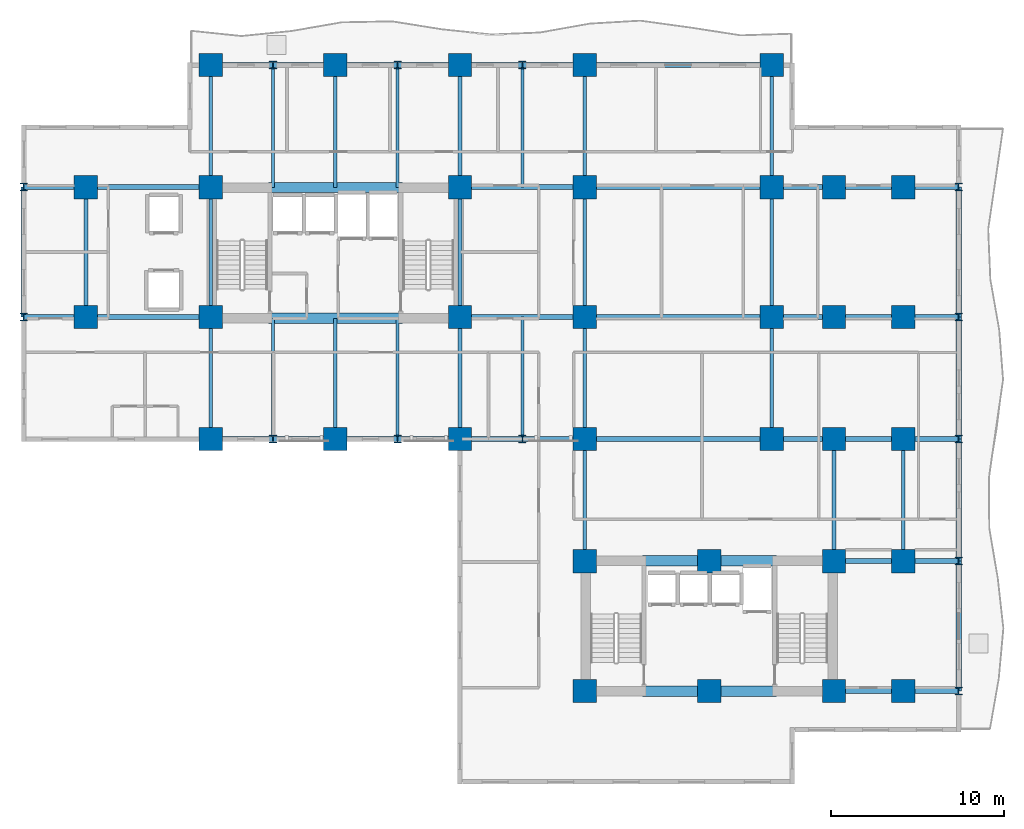
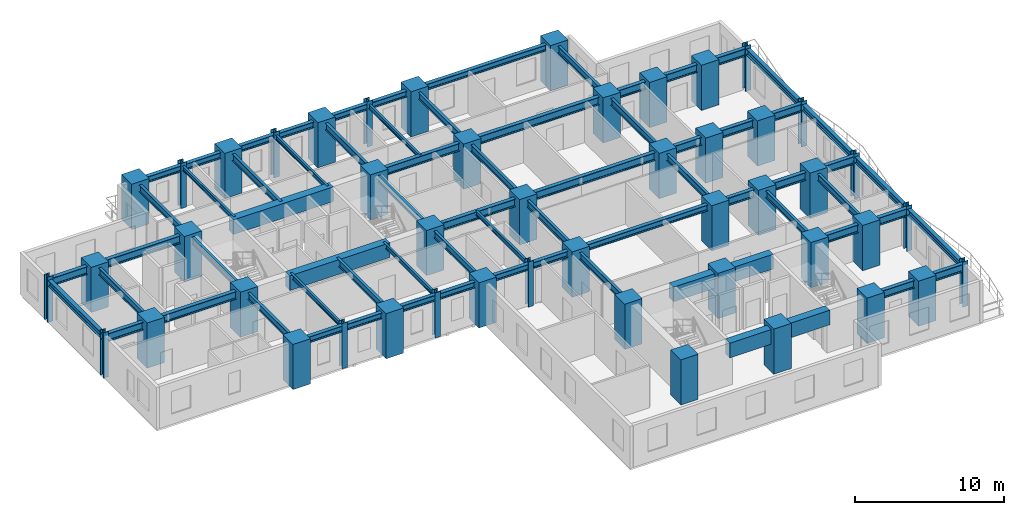
# One storey, part 1 of 11: 68 beams, 47 columns.
"""IFC4 building model written with IfcOpenShell, lengths in metres."""

from ifc_helpers import new_model, si_unit, direction, frame, origin, origin_2d, place, context, subcontext, project, spatial, rectangle, i_section, extrude, source, transform, mapped, material, material_profile, profile_set, type_object, element, save


model = new_model("IFC4")

# Units and contexts
model_context = context("Model", 3, precision=1e-05, world=origin(), true_north=direction((0.0, 1.0)))
body_context = subcontext(model_context, "Body", "Model", "MODEL_VIEW")
ifc_project = project(units=[si_unit("LENGTHUNIT", "METRE"), si_unit("AREAUNIT", "SQUARE_METRE"), si_unit("VOLUMEUNIT", "CUBIC_METRE"), si_unit("PLANEANGLEUNIT", "RADIAN"), si_unit("MASSUNIT", "GRAM", prefix="KILO")], contexts=[model_context])

# Site, building, storey
site_placement = place(None, origin())
site = spatial("IfcSite", under=ifc_project, at=site_placement, CompositionType="ELEMENT")
building_placement = place(site_placement, origin())
building = spatial("IfcBuilding", under=site, at=building_placement, Name="Kaliganga Portal Commons", CompositionType="ELEMENT")
storey_placement = place(building_placement, frame((0.0, 0.0, 58.60009765625)))
storey = spatial("IfcBuildingStorey", under=building, at=storey_placement, Name="L14", CompositionType="ELEMENT", Elevation=58.60009765625)

# Columns
ifc_material_1 = material(Name="Concrete C70/85", Category="concrete")
ifc_material_profile_1 = material_profile(ifc_material_1, rectangle(XDim=1.35009765625, YDim=1.35009765625, at=origin_2d()), Name="RC 1350x1350")
ifc_profile_set_1 = profile_set([ifc_material_profile_1], Name="Concrete C70/85")
column_type_1 = type_object("IfcColumnType", Name="COL-MEGA-Z1", PredefinedType="COLUMN", material=ifc_profile_set_1)
shared_shape_1 = source(origin(), body_context, "Body", "SweptSolid", [
    extrude(rectangle(XDim=1.35009765625, YDim=1.35009765625, at=origin_2d()), origin(), (0.0, 0.0, 1.0), 3.699951171875),
])
for number, where, z_axis, x_axis, name in (
    (1, (7.199951171875, 28.64990234375, 0.0), (0.0, 0.0, 1.0), (1.0, 0.0, 0.0), "Column MC-02 L14"),
    (2, (7.199951171875, 36.14990234375, 0.0), (0.0, 0.0, 1.0), (1.0, 0.0, 0.0), "Column MC-02 L14"),
    (3, (14.39990234375, 21.60009765625, 0.0), (0.0, 0.0, 1.0), (1.0, 0.0, 0.0), "Column MC-02 L14"),
    (4, (14.39990234375, 28.64990234375, 0.0), (0.0, 0.0, 1.0), (1.0, 0.0, 0.0), "Column MC-02 L14"),
    (5, (14.39990234375, 36.14990234375, 0.0), (0.0, 0.0, 1.0), (1.0, 0.0, 0.0), "Column MC-02 L14"),
    (6, (14.39990234375, 43.199951171875, 0.0), (0.0, 0.0, 1.0), (1.0, 0.0, 0.0), "Column MC-02 L14"),
    (7, (21.60009765625, 21.60009765625, 0.0), (0.0, 0.0, 1.0), (1.0, 0.0, 0.0), "Column MC-02 L14"),
    (8, (21.60009765625, 43.199951171875, 0.0), (0.0, 0.0, 1.0), (1.0, 0.0, 0.0), "Column MC-02 L14"),
    (9, (28.800048828125, 21.60009765625, 0.0), (0.0, 0.0, 1.0), (1.0, 0.0, 0.0), "Column MC-02 L14"),
    (10, (28.800048828125, 28.64990234375, 0.0), (0.0, 0.0, 1.0), (1.0, 0.0, 0.0), "Column MC-02 L14"),
    (11, (28.800048828125, 36.14990234375, 0.0), (0.0, 0.0, 1.0), (1.0, 0.0, 0.0), "Column MC-02 L14"),
    (12, (28.800048828125, 43.199951171875, 0.0), (0.0, 0.0, 1.0), (1.0, 0.0, 0.0), "Column MC-02 L14"),
    (13, (36.0, 21.60009765625, 0.0), (0.0, 0.0, 1.0), (1.0, 0.0, 0.0), "Column MC-02 L14"),
    (14, (36.0, 43.199951171875, 0.0), (0.0, 0.0, 1.0), (1.0, 0.0, 0.0), "Column MC-02 L14"),
    (15, (36.0, 28.64990234375, 0.0), (0.0, 0.0, 1.0), (1.0, 0.0, 0.0), "Column MC-02 L14"),
    (16, (36.0, 36.14990234375, 0.0), (0.0, 0.0, 1.0), (1.0, 0.0, 0.0), "Column MC-02 L14"),
    (17, (46.800048828125, 21.60009765625, 0.0), (0.0, 0.0, 1.0), (1.0, 0.0, 0.0), "Column MC-02 L14"),
    (18, (46.800048828125, 28.64990234375, 0.0), (0.0, 0.0, 1.0), (1.0, 0.0, 0.0), "Column MC-02 L14"),
    (19, (46.800048828125, 36.14990234375, 0.0), (0.0, 0.0, 1.0), (1.0, 0.0, 0.0), "Column MC-02 L14"),
    (20, (46.800048828125, 43.199951171875, 0.0), (0.0, 0.0, 1.0), (1.0, 0.0, 0.0), "Column MC-02 L14"),
    (21, (36.0, 7.050048828125, 0.0), (0.0, 0.0, 1.0), (1.0, 0.0, 0.0), "Column MC-02 L14"),
    (22, (36.0, 14.550048828125, 0.0), (0.0, 0.0, 1.0), (1.0, 0.0, 0.0), "Column MC-02 L14"),
    (23, (43.199951171875, 7.050048828125, 0.0), (0.0, 0.0, 1.0), (1.0, 0.0, 0.0), "Column MC-02 L14"),
    (24, (43.199951171875, 14.550048828125, 0.0), (0.0, 0.0, 1.0), (1.0, 0.0, 0.0), "Column MC-02 L14"),
    (25, (50.39990234375, 7.050048828125, 0.0), (0.0, 0.0, 1.0), (1.0, 0.0, 0.0), "Column MC-02 L14"),
    (26, (50.39990234375, 14.550048828125, 0.0), (0.0, 0.0, 1.0), (1.0, 0.0, 0.0), "Column MC-02 L14"),
    (27, (50.39990234375, 21.60009765625, 0.0), (0.0, 0.0, 1.0), (1.0, 0.0, 0.0), "Column MC-02 L14"),
    (28, (50.39990234375, 28.64990234375, 0.0), (0.0, 0.0, 1.0), (1.0, 0.0, 0.0), "Column MC-02 L14"),
    (29, (50.39990234375, 36.14990234375, 0.0), (0.0, 0.0, 1.0), (1.0, 0.0, 0.0), "Column MC-02 L14"),
    (30, (54.39990234375, 7.050048828125, 0.0), (0.0, 0.0, 1.0), (1.0, 0.0, 0.0), "Column MC-02 L14"),
    (31, (54.39990234375, 14.550048828125, 0.0), (0.0, 0.0, 1.0), (1.0, 0.0, 0.0), "Column MC-02 L14"),
    (32, (54.39990234375, 21.60009765625, 0.0), (0.0, 0.0, 1.0), (1.0, 0.0, 0.0), "Column MC-02 L14"),
    (33, (54.39990234375, 28.64990234375, 0.0), (0.0, 0.0, 1.0), (1.0, 0.0, 0.0), "Column MC-02 L14"),
    (34, (54.39990234375, 36.14990234375, 0.0), (0.0, 0.0, 1.0), (1.0, 0.0, 0.0), "Column MC-02 L14"),
):
    element("IfcColumn", number, at=place(storey_placement, frame(where, z_axis=z_axis, x_axis=x_axis)), inside=storey, type_object=column_type_1, Name=name, PredefinedType="COLUMN", context=body_context, shape_type="MappedRepresentation", body=[
        mapped(shared_shape_1, transform((0.0, 0.0, 0.0), x_axis=(1.0, 0.0, 0.0), y_axis=(0.0, 1.0, 0.0), z_axis=(0.0, 0.0, 1.0), scale=1.0)),
    ])
ifc_material_2 = material(Name="Structural steel S460M", Category="steel")
ifc_material_profile_2 = material_profile(ifc_material_2, i_section(OverallWidth=0.416015625, OverallDepth=0.446044921875, WebThickness=0.029052734375, FlangeThickness=0.0400390625, FilletRadius=0.014892578125, at=origin_2d()), Name="HD 400x509")
ifc_profile_set_2 = profile_set([ifc_material_profile_2], Name="Structural steel S460M wide-flange")
column_type_2 = type_object("IfcColumnType", Name="COL-TUBE-B1", PredefinedType="COLUMN", material=ifc_profile_set_2)
shared_shape_2 = source(origin(), body_context, "Body", "SweptSolid", [
    extrude(i_section(OverallWidth=0.416015625, OverallDepth=0.446044921875, WebThickness=0.029052734375, FlangeThickness=0.0400390625, FilletRadius=0.014892578125, at=origin_2d()), origin(), (0.0, 0.0, 1.0), 3.699951171875),
])
for number, where, z_axis, x_axis, name in (
    (35, (3.60009765625, 28.64990234375, 0.0), (0.0, 0.0, 1.0), (1.0, 0.0, 0.0), "Column TC-01 L14"),
    (36, (3.60009765625, 36.14990234375, 0.0), (0.0, 0.0, 1.0), (1.0, 0.0, 0.0), "Column TC-01 L14"),
    (37, (18.0, 21.60009765625, 0.0), (0.0, 0.0, 1.0), (1.0, 0.0, 0.0), "Column TC-01 L14"),
    (38, (18.0, 43.199951171875, 0.0), (0.0, 0.0, 1.0), (1.0, 0.0, 0.0), "Column TC-01 L14"),
    (39, (25.199951171875, 21.60009765625, 0.0), (0.0, 0.0, 1.0), (1.0, 0.0, 0.0), "Column TC-01 L14"),
    (40, (25.199951171875, 43.199951171875, 0.0), (0.0, 0.0, 1.0), (1.0, 0.0, 0.0), "Column TC-01 L14"),
    (41, (32.39990234375, 21.60009765625, 0.0), (0.0, 0.0, 1.0), (1.0, 0.0, 0.0), "Column TC-01 L14"),
    (42, (32.39990234375, 43.199951171875, 0.0), (0.0, 0.0, 1.0), (1.0, 0.0, 0.0), "Column TC-01 L14"),
    (43, (57.60009765625, 7.050048828125, 0.0), (0.0, 0.0, 1.0), (1.0, 0.0, 0.0), "Column TC-01 L14"),
    (44, (57.60009765625, 14.550048828125, 0.0), (0.0, 0.0, 1.0), (1.0, 0.0, 0.0), "Column TC-01 L14"),
    (45, (57.60009765625, 21.60009765625, 0.0), (0.0, 0.0, 1.0), (1.0, 0.0, 0.0), "Column TC-01 L14"),
    (46, (57.60009765625, 28.64990234375, 0.0), (0.0, 0.0, 1.0), (1.0, 0.0, 0.0), "Column TC-01 L14"),
    (47, (57.60009765625, 36.14990234375, 0.0), (0.0, 0.0, 1.0), (1.0, 0.0, 0.0), "Column TC-01 L14"),
):
    element("IfcColumn", number, at=place(storey_placement, frame(where, z_axis=z_axis, x_axis=x_axis)), inside=storey, type_object=column_type_2, Name=name, PredefinedType="COLUMN", context=body_context, shape_type="MappedRepresentation", body=[
        mapped(shared_shape_2, transform((0.0, 0.0, 0.0), x_axis=(1.0, 0.0, 0.0), y_axis=(0.0, 1.0, 0.0), z_axis=(0.0, 0.0, 1.0), scale=1.0)),
    ])

# Beams
ifc_material_3 = material(Name="Concrete C60/75", Category="concrete")
ifc_material_profile_3 = material_profile(ifc_material_3, rectangle(XDim=0.60009765625, YDim=1.199951171875, at=origin_2d()), Name="RC 600x1200")
ifc_profile_set_3 = profile_set([ifc_material_profile_3], Name="Concrete C60/75")
beam_type_1 = type_object("IfcBeamType", Name="BM-CPL-1200", PredefinedType="LINTEL", material=ifc_profile_set_3)
shared_shape_3 = source(origin(), body_context, "Body", "SweptSolid", [
    extrude(rectangle(XDim=0.60009765625, YDim=1.199951171875, at=origin_2d()), origin(), (0.0, 0.0, 1.0), 7.739990234375),
])
for number, where, z_axis, x_axis, name in (
    (48, (17.72998046875, 28.574951171875, 2.849853515625), (1.0, 0.0, 0.0), (0.0, 1.0, 0.0), "BM CPL COREA L14 S"),
    (49, (17.72998046875, 36.125, 2.849853515625), (1.0, 0.0, 0.0), (0.0, 1.0, 0.0), "BM CPL COREA L14 N"),
    (50, (39.330078125, 7.02490234375, 2.849853515625), (1.0, 0.0, 0.0), (0.0, 1.0, 0.0), "BM CPL COREB L14 S"),
    (51, (39.330078125, 14.574951171875, 2.849853515625), (1.0, 0.0, 0.0), (0.0, 1.0, 0.0), "BM CPL COREB L14 N"),
):
    element("IfcBeam", number, at=place(storey_placement, frame(where, z_axis=z_axis, x_axis=x_axis)), inside=storey, type_object=beam_type_1, Name=name, PredefinedType="LINTEL", context=body_context, shape_type="MappedRepresentation", body=[
        mapped(shared_shape_3, transform((0.0, 0.0, 0.0), x_axis=(1.0, 0.0, 0.0), y_axis=(0.0, 1.0, 0.0), z_axis=(0.0, 0.0, 1.0), scale=1.0)),
    ])
ifc_material_4 = material(Name="Structural steel S355J2", Category="steel")
ifc_material_profile_4 = material_profile(ifc_material_4, i_section(OverallWidth=0.300048828125, OverallDepth=0.5, WebThickness=0.014404296875, FlangeThickness=0.028076171875, FilletRadius=0.027099609375, at=origin_2d()), Name="HE 500 B")
ifc_profile_set_4 = profile_set([ifc_material_profile_4], Name="Structural steel S355J2 wide-flange")
beam_type_2 = type_object("IfcBeamType", Name="BM-SPAND-500", PredefinedType="SPANDREL", material=ifc_profile_set_4)
shared_shape_4 = source(origin(), body_context, "Body", "SweptSolid", [
    extrude(i_section(OverallWidth=0.300048828125, OverallDepth=0.5, WebThickness=0.014404296875, FlangeThickness=0.028076171875, FilletRadius=0.027099609375, at=origin_2d()), origin(), (0.0, 0.0, 1.0), 10.800048828125),
])
for number, where, z_axis, x_axis, name in (
    (52, (36.0, 43.199951171875, 3.199951171875), (1.0, 0.0, 0.0), (0.0, 1.0, 0.0), "BM SP L14 AN 7"),
    (53, (36.0, 21.60009765625, 3.199951171875), (1.0, 0.0, 0.0), (0.0, 1.0, 0.0), "BM SP L14 AS 7"),
):
    element("IfcBeam", number, at=place(storey_placement, frame(where, z_axis=z_axis, x_axis=x_axis)), inside=storey, type_object=beam_type_2, Name=name, PredefinedType="SPANDREL", context=body_context, shape_type="MappedRepresentation", body=[
        mapped(shared_shape_4, transform((0.0, 0.0, 0.0), x_axis=(1.0, 0.0, 0.0), y_axis=(0.0, 1.0, 0.0), z_axis=(0.0, 0.0, 1.0), scale=1.0)),
    ])
shared_shape_5 = source(origin(), body_context, "Body", "SweptSolid", [
    extrude(i_section(OverallWidth=0.300048828125, OverallDepth=0.5, WebThickness=0.014404296875, FlangeThickness=0.028076171875, FilletRadius=0.027099609375, at=origin_2d()), origin(), (0.0, 0.0, 1.0), 7.5),
])
for number, where, z_axis, x_axis, name in (
    (54, (3.60009765625, 28.64990234375, 3.199951171875), (0.0, 1.0, 0.0), (-1.0, 0.0, 0.0), "BM SP L14 AW"),
    (55, (57.60009765625, 7.050048828125, 3.199951171875), (0.0, 1.0, 0.0), (-1.0, 0.0, 0.0), "BM SP L14 BE 1"),
    (56, (57.60009765625, 28.64990234375, 3.199951171875), (0.0, 1.0, 0.0), (-1.0, 0.0, 0.0), "BM SP L14 BE 4"),
):
    element("IfcBeam", number, at=place(storey_placement, frame(where, z_axis=z_axis, x_axis=x_axis)), inside=storey, type_object=beam_type_2, Name=name, PredefinedType="SPANDREL", context=body_context, shape_type="MappedRepresentation", body=[
        mapped(shared_shape_5, transform((0.0, 0.0, 0.0), x_axis=(1.0, 0.0, 0.0), y_axis=(0.0, 1.0, 0.0), z_axis=(0.0, 0.0, 1.0), scale=1.0)),
    ])
shared_shape_6 = source(origin(), body_context, "Body", "SweptSolid", [
    extrude(i_section(OverallWidth=0.300048828125, OverallDepth=0.5, WebThickness=0.014404296875, FlangeThickness=0.028076171875, FilletRadius=0.027099609375, at=origin_2d()), origin(), (0.0, 0.0, 1.0), 7.050048828125),
])
beam_1_placement = place(storey_placement, frame((57.60009765625, 14.550048828125, 3.199951171875), z_axis=(0.0, 1.0, 0.0), x_axis=(-1.0, 0.0, 0.0)))
element("IfcBeam", 57, at=beam_1_placement, inside=storey, type_object=beam_type_2, Name="BM SP L14 BE 2", PredefinedType="SPANDREL", context=body_context, shape_type="MappedRepresentation", body=[
    mapped(shared_shape_6, transform((0.0, 0.0, 0.0), x_axis=(1.0, 0.0, 0.0), y_axis=(0.0, 1.0, 0.0), z_axis=(0.0, 0.0, 1.0), scale=1.0)),
])
shared_shape_7 = source(origin(), body_context, "Body", "SweptSolid", [
    extrude(i_section(OverallWidth=0.300048828125, OverallDepth=0.5, WebThickness=0.014404296875, FlangeThickness=0.028076171875, FilletRadius=0.027099609375, at=origin_2d()), origin(), (0.0, 0.0, 1.0), 7.0498046875),
])
beam_2_placement = place(storey_placement, frame((57.60009765625, 21.60009765625, 3.199951171875), z_axis=(0.0, 1.0, 0.0), x_axis=(-1.0, 0.0, 0.0)))
element("IfcBeam", 58, at=beam_2_placement, inside=storey, type_object=beam_type_2, Name="BM SP L14 BE 3", PredefinedType="SPANDREL", context=body_context, shape_type="MappedRepresentation", body=[
    mapped(shared_shape_7, transform((0.0, 0.0, 0.0), x_axis=(1.0, 0.0, 0.0), y_axis=(0.0, 1.0, 0.0), z_axis=(0.0, 0.0, 1.0), scale=1.0)),
])
shared_shape_8 = source(origin(), body_context, "Body", "SweptSolid", [
    extrude(i_section(OverallWidth=0.300048828125, OverallDepth=0.5, WebThickness=0.014404296875, FlangeThickness=0.028076171875, FilletRadius=0.027099609375, at=origin_2d()), origin(), (0.0, 0.0, 1.0), 3.60009765625),
])
for number, where, z_axis, x_axis, name in (
    (59, (14.39990234375, 43.199951171875, 3.199951171875), (1.0, 0.0, 0.0), (0.0, 1.0, 0.0), "BM SP L14 AN 1"),
    (60, (18.0, 43.199951171875, 3.199951171875), (1.0, 0.0, 0.0), (0.0, 1.0, 0.0), "BM SP L14 AN 2"),
    (61, (25.199951171875, 43.199951171875, 3.199951171875), (1.0, 0.0, 0.0), (0.0, 1.0, 0.0), "BM SP L14 AN 4"),
    (62, (32.39990234375, 43.199951171875, 3.199951171875), (1.0, 0.0, 0.0), (0.0, 1.0, 0.0), "BM SP L14 AN 6"),
    (63, (14.39990234375, 21.60009765625, 3.199951171875), (1.0, 0.0, 0.0), (0.0, 1.0, 0.0), "BM SP L14 AS 1"),
    (64, (18.0, 21.60009765625, 3.199951171875), (1.0, 0.0, 0.0), (0.0, 1.0, 0.0), "BM SP L14 AS 2"),
    (65, (25.199951171875, 21.60009765625, 3.199951171875), (1.0, 0.0, 0.0), (0.0, 1.0, 0.0), "BM SP L14 AS 4"),
    (66, (32.39990234375, 21.60009765625, 3.199951171875), (1.0, 0.0, 0.0), (0.0, 1.0, 0.0), "BM SP L14 AS 6"),
):
    element("IfcBeam", number, at=place(storey_placement, frame(where, z_axis=z_axis, x_axis=x_axis)), inside=storey, type_object=beam_type_2, Name=name, PredefinedType="SPANDREL", context=body_context, shape_type="MappedRepresentation", body=[
        mapped(shared_shape_8, transform((0.0, 0.0, 0.0), x_axis=(1.0, 0.0, 0.0), y_axis=(0.0, 1.0, 0.0), z_axis=(0.0, 0.0, 1.0), scale=1.0)),
    ])
shared_shape_9 = source(origin(), body_context, "Body", "SweptSolid", [
    extrude(i_section(OverallWidth=0.300048828125, OverallDepth=0.5, WebThickness=0.014404296875, FlangeThickness=0.028076171875, FilletRadius=0.027099609375, at=origin_2d()), origin(), (0.0, 0.0, 1.0), 3.599853515625),
])
for number, where, z_axis, x_axis, name in (
    (67, (21.60009765625, 43.199951171875, 3.199951171875), (1.0, 0.0, 0.0), (0.0, 1.0, 0.0), "BM SP L14 AN 3"),
    (68, (28.800048828125, 43.199951171875, 3.199951171875), (1.0, 0.0, 0.0), (0.0, 1.0, 0.0), "BM SP L14 AN 5"),
    (69, (21.60009765625, 21.60009765625, 3.199951171875), (1.0, 0.0, 0.0), (0.0, 1.0, 0.0), "BM SP L14 AS 3"),
    (70, (28.800048828125, 21.60009765625, 3.199951171875), (1.0, 0.0, 0.0), (0.0, 1.0, 0.0), "BM SP L14 AS 5"),
):
    element("IfcBeam", number, at=place(storey_placement, frame(where, z_axis=z_axis, x_axis=x_axis)), inside=storey, type_object=beam_type_2, Name=name, PredefinedType="SPANDREL", context=body_context, shape_type="MappedRepresentation", body=[
        mapped(shared_shape_9, transform((0.0, 0.0, 0.0), x_axis=(1.0, 0.0, 0.0), y_axis=(0.0, 1.0, 0.0), z_axis=(0.0, 0.0, 1.0), scale=1.0)),
    ])
ifc_material_profile_5 = material_profile(ifc_material_4, i_section(OverallWidth=0.300048828125, OverallDepth=0.64990234375, WebThickness=0.01611328125, FlangeThickness=0.031005859375, FilletRadius=0.027099609375, at=origin_2d()), Name="HE 650 B")
ifc_profile_set_5 = profile_set([ifc_material_profile_5], Name="Structural steel S355J2 wide-flange")
beam_type_3 = type_object("IfcBeamType", Name="BM-GIRD-650", PredefinedType="USERDEFINED", material=ifc_profile_set_5)
shared_shape_10 = source(origin(), body_context, "Body", "SweptSolid", [
    extrude(i_section(OverallWidth=0.300048828125, OverallDepth=0.64990234375, WebThickness=0.01611328125, FlangeThickness=0.031005859375, FilletRadius=0.027099609375, at=origin_2d()), origin(), (0.0, 0.0, 1.0), 3.599853515625),
])
for number, where, z_axis, x_axis, name in (
    (71, (3.60009765625, 28.64990234375, 3.125), (1.0, 0.0, 0.0), (0.0, 1.0, 0.0), "BM G L14 WAH_S 1"),
    (72, (3.60009765625, 36.14990234375, 3.125), (1.0, 0.0, 0.0), (0.0, 1.0, 0.0), "BM G L14 WAH_N 1"),
    (73, (46.800048828125, 21.60009765625, 3.125), (1.0, 0.0, 0.0), (0.0, 1.0, 0.0), "BM G L14 BKE216 1"),
    (74, (46.800048828125, 28.64990234375, 3.125), (1.0, 0.0, 0.0), (0.0, 1.0, 0.0), "BM G L14 BKE286 1"),
    (75, (46.800048828125, 36.14990234375, 3.125), (1.0, 0.0, 0.0), (0.0, 1.0, 0.0), "BM G L14 BKE362 1"),
):
    element("IfcBeam", number, at=place(storey_placement, frame(where, z_axis=z_axis, x_axis=x_axis)), inside=storey, type_object=beam_type_3, Name=name, ObjectType="GIRDER", PredefinedType="USERDEFINED", context=body_context, shape_type="MappedRepresentation", body=[
        mapped(shared_shape_10, transform((0.0, 0.0, 0.0), x_axis=(1.0, 0.0, 0.0), y_axis=(0.0, 1.0, 0.0), z_axis=(0.0, 0.0, 1.0), scale=1.0)),
    ])
shared_shape_11 = source(origin(), body_context, "Body", "SweptSolid", [
    extrude(i_section(OverallWidth=0.300048828125, OverallDepth=0.64990234375, WebThickness=0.01611328125, FlangeThickness=0.031005859375, FilletRadius=0.027099609375, at=origin_2d()), origin(), (0.0, 0.0, 1.0), 7.199951171875),
])
for number, where, z_axis, x_axis, name in (
    (76, (7.199951171875, 28.64990234375, 3.125), (1.0, 0.0, 0.0), (0.0, 1.0, 0.0), "BM G L14 WAH_S 2"),
    (77, (7.199951171875, 36.14990234375, 3.125), (1.0, 0.0, 0.0), (0.0, 1.0, 0.0), "BM G L14 WAH_N 2"),
    (78, (28.800048828125, 28.64990234375, 3.125), (1.0, 0.0, 0.0), (0.0, 1.0, 0.0), "BM G L14 WAE_S 1"),
    (79, (28.800048828125, 36.14990234375, 3.125), (1.0, 0.0, 0.0), (0.0, 1.0, 0.0), "BM G L14 WAE_N 1"),
):
    element("IfcBeam", number, at=place(storey_placement, frame(where, z_axis=z_axis, x_axis=x_axis)), inside=storey, type_object=beam_type_3, Name=name, ObjectType="GIRDER", PredefinedType="USERDEFINED", context=body_context, shape_type="MappedRepresentation", body=[
        mapped(shared_shape_11, transform((0.0, 0.0, 0.0), x_axis=(1.0, 0.0, 0.0), y_axis=(0.0, 1.0, 0.0), z_axis=(0.0, 0.0, 1.0), scale=1.0)),
    ])
shared_shape_12 = source(origin(), body_context, "Body", "SweptSolid", [
    extrude(i_section(OverallWidth=0.300048828125, OverallDepth=0.64990234375, WebThickness=0.01611328125, FlangeThickness=0.031005859375, FilletRadius=0.027099609375, at=origin_2d()), origin(), (0.0, 0.0, 1.0), 10.800048828125),
])
for number, where, z_axis, x_axis, name in (
    (80, (36.0, 28.64990234375, 3.125), (1.0, 0.0, 0.0), (0.0, 1.0, 0.0), "BM G L14 WAE_S 2"),
    (81, (36.0, 36.14990234375, 3.125), (1.0, 0.0, 0.0), (0.0, 1.0, 0.0), "BM G L14 WAE_N 2"),
):
    element("IfcBeam", number, at=place(storey_placement, frame(where, z_axis=z_axis, x_axis=x_axis)), inside=storey, type_object=beam_type_3, Name=name, ObjectType="GIRDER", PredefinedType="USERDEFINED", context=body_context, shape_type="MappedRepresentation", body=[
        mapped(shared_shape_12, transform((0.0, 0.0, 0.0), x_axis=(1.0, 0.0, 0.0), y_axis=(0.0, 1.0, 0.0), z_axis=(0.0, 0.0, 1.0), scale=1.0)),
    ])
ifc_material_profile_6 = material_profile(ifc_material_4, i_section(OverallWidth=0.2099609375, OverallDepth=0.550048828125, WebThickness=0.010986328125, FlangeThickness=0.01708984375, FilletRadius=0.02392578125, at=origin_2d()), Name="IPE 550")
ifc_profile_set_6 = profile_set([ifc_material_profile_6], Name="Structural steel S355J2 wide-flange")
beam_type_4 = type_object("IfcBeamType", Name="BM-FLR-550", PredefinedType="BEAM", material=ifc_profile_set_6)
shared_shape_13 = source(origin(), body_context, "Body", "SweptSolid", [
    extrude(i_section(OverallWidth=0.2099609375, OverallDepth=0.550048828125, WebThickness=0.010986328125, FlangeThickness=0.01708984375, FilletRadius=0.02392578125, at=origin_2d()), origin(), (0.0, 0.0, 1.0), 7.5),
])
for number, where, z_axis, x_axis, name in (
    (82, (7.199951171875, 28.64990234375, 3.1748046875), (0.0, 1.0, 0.0), (-1.0, 0.0, 0.0), "BM G L14 AW72"),
    (83, (14.39990234375, 28.64990234375, 3.1748046875), (0.0, 1.0, 0.0), (-1.0, 0.0, 0.0), "BM G L14 AM144"),
    (84, (28.800048828125, 28.64990234375, 3.1748046875), (0.0, 1.0, 0.0), (-1.0, 0.0, 0.0), "BM G L14 AM288"),
    (85, (36.0, 28.64990234375, 3.1748046875), (0.0, 1.0, 0.0), (-1.0, 0.0, 0.0), "BM G L14 AM360"),
    (86, (46.800048828125, 28.64990234375, 3.1748046875), (0.0, 1.0, 0.0), (-1.0, 0.0, 0.0), "BM G L14 AM468"),
):
    element("IfcBeam", number, at=place(storey_placement, frame(where, z_axis=z_axis, x_axis=x_axis)), inside=storey, type_object=beam_type_4, Name=name, PredefinedType="BEAM", context=body_context, shape_type="MappedRepresentation", body=[
        mapped(shared_shape_13, transform((0.0, 0.0, 0.0), x_axis=(1.0, 0.0, 0.0), y_axis=(0.0, 1.0, 0.0), z_axis=(0.0, 0.0, 1.0), scale=1.0)),
    ])
shared_shape_14 = source(origin(), body_context, "Body", "SweptSolid", [
    extrude(i_section(OverallWidth=0.2099609375, OverallDepth=0.550048828125, WebThickness=0.010986328125, FlangeThickness=0.01708984375, FilletRadius=0.02392578125, at=origin_2d()), origin(), (0.0, 0.0, 1.0), 7.050048828125),
])
for number, where, z_axis, x_axis, name in (
    (87, (14.39990234375, 36.14990234375, 3.1748046875), (0.0, 1.0, 0.0), (-1.0, 0.0, 0.0), "BM G L14 AN144"),
    (88, (28.800048828125, 36.14990234375, 3.1748046875), (0.0, 1.0, 0.0), (-1.0, 0.0, 0.0), "BM G L14 AN288"),
    (89, (36.0, 36.14990234375, 3.1748046875), (0.0, 1.0, 0.0), (-1.0, 0.0, 0.0), "BM G L14 AN360"),
    (90, (46.800048828125, 36.14990234375, 3.1748046875), (0.0, 1.0, 0.0), (-1.0, 0.0, 0.0), "BM G L14 AN468"),
    (91, (36.0, 14.550048828125, 3.1748046875), (0.0, 1.0, 0.0), (-1.0, 0.0, 0.0), "BM G L14 BNK360"),
    (92, (50.39990234375, 14.550048828125, 3.1748046875), (0.0, 1.0, 0.0), (-1.0, 0.0, 0.0), "BM G L14 BNK504"),
    (93, (54.39990234375, 14.550048828125, 3.1748046875), (0.0, 1.0, 0.0), (-1.0, 0.0, 0.0), "BM G L14 BNK544"),
):
    element("IfcBeam", number, at=place(storey_placement, frame(where, z_axis=z_axis, x_axis=x_axis)), inside=storey, type_object=beam_type_4, Name=name, PredefinedType="BEAM", context=body_context, shape_type="MappedRepresentation", body=[
        mapped(shared_shape_14, transform((0.0, 0.0, 0.0), x_axis=(1.0, 0.0, 0.0), y_axis=(0.0, 1.0, 0.0), z_axis=(0.0, 0.0, 1.0), scale=1.0)),
    ])
shared_shape_15 = source(origin(), body_context, "Body", "SweptSolid", [
    extrude(i_section(OverallWidth=0.2099609375, OverallDepth=0.550048828125, WebThickness=0.010986328125, FlangeThickness=0.01708984375, FilletRadius=0.02392578125, at=origin_2d()), origin(), (0.0, 0.0, 1.0), 7.0498046875),
])
for number, where, z_axis, x_axis, name in (
    (94, (14.39990234375, 21.60009765625, 3.1748046875), (0.0, 1.0, 0.0), (-1.0, 0.0, 0.0), "BM G L14 AS144"),
    (95, (28.800048828125, 21.60009765625, 3.1748046875), (0.0, 1.0, 0.0), (-1.0, 0.0, 0.0), "BM G L14 AS288"),
    (96, (36.0, 21.60009765625, 3.1748046875), (0.0, 1.0, 0.0), (-1.0, 0.0, 0.0), "BM G L14 AS360"),
    (97, (46.800048828125, 21.60009765625, 3.1748046875), (0.0, 1.0, 0.0), (-1.0, 0.0, 0.0), "BM G L14 AS468"),
):
    element("IfcBeam", number, at=place(storey_placement, frame(where, z_axis=z_axis, x_axis=x_axis)), inside=storey, type_object=beam_type_4, Name=name, PredefinedType="BEAM", context=body_context, shape_type="MappedRepresentation", body=[
        mapped(shared_shape_15, transform((0.0, 0.0, 0.0), x_axis=(1.0, 0.0, 0.0), y_axis=(0.0, 1.0, 0.0), z_axis=(0.0, 0.0, 1.0), scale=1.0)),
    ])
ifc_material_profile_7 = material_profile(ifc_material_4, i_section(OverallWidth=0.169921875, OverallDepth=0.360107421875, WebThickness=0.008056640625, FlangeThickness=0.0126953125, FilletRadius=0.01806640625, at=origin_2d()), Name="IPE 360")
ifc_profile_set_7 = profile_set([ifc_material_profile_7], Name="Structural steel S355J2 wide-flange")
beam_type_5 = type_object("IfcBeamType", Name="BM-JST-360", PredefinedType="JOIST", material=ifc_profile_set_7)
shared_shape_16 = source(origin(), body_context, "Body", "SweptSolid", [
    extrude(i_section(OverallWidth=0.169921875, OverallDepth=0.360107421875, WebThickness=0.008056640625, FlangeThickness=0.0126953125, FilletRadius=0.01806640625, at=origin_2d()), origin(), (0.0, 0.0, 1.0), 7.074951171875),
])
for number, where, z_axis, x_axis, name in (
    (98, (18.0, 36.125, 3.27001953125), (0.0, 1.0, 0.0), (-1.0, 0.0, 0.0), "BM G L14 AN180"),
    (99, (25.199951171875, 36.125, 3.27001953125), (0.0, 1.0, 0.0), (-1.0, 0.0, 0.0), "BM G L14 AN252"),
):
    element("IfcBeam", number, at=place(storey_placement, frame(where, z_axis=z_axis, x_axis=x_axis)), inside=storey, type_object=beam_type_5, Name=name, PredefinedType="JOIST", context=body_context, shape_type="MappedRepresentation", body=[
        mapped(shared_shape_16, transform((0.0, 0.0, 0.0), x_axis=(1.0, 0.0, 0.0), y_axis=(0.0, 1.0, 0.0), z_axis=(0.0, 0.0, 1.0), scale=1.0)),
    ])
shared_shape_17 = source(origin(), body_context, "Body", "SweptSolid", [
    extrude(i_section(OverallWidth=0.169921875, OverallDepth=0.360107421875, WebThickness=0.008056640625, FlangeThickness=0.0126953125, FilletRadius=0.01806640625, at=origin_2d()), origin(), (0.0, 0.0, 1.0), 6.974853515625),
])
for number, where, z_axis, x_axis, name in (
    (100, (18.0, 21.60009765625, 3.27001953125), (0.0, 1.0, 0.0), (-1.0, 0.0, 0.0), "BM G L14 AS180"),
    (101, (25.199951171875, 21.60009765625, 3.27001953125), (0.0, 1.0, 0.0), (-1.0, 0.0, 0.0), "BM G L14 AS252"),
):
    element("IfcBeam", number, at=place(storey_placement, frame(where, z_axis=z_axis, x_axis=x_axis)), inside=storey, type_object=beam_type_5, Name=name, PredefinedType="JOIST", context=body_context, shape_type="MappedRepresentation", body=[
        mapped(shared_shape_17, transform((0.0, 0.0, 0.0), x_axis=(1.0, 0.0, 0.0), y_axis=(0.0, 1.0, 0.0), z_axis=(0.0, 0.0, 1.0), scale=1.0)),
    ])
shared_shape_18 = source(origin(), body_context, "Body", "SweptSolid", [
    extrude(i_section(OverallWidth=0.2099609375, OverallDepth=0.550048828125, WebThickness=0.010986328125, FlangeThickness=0.01708984375, FilletRadius=0.02392578125, at=origin_2d()), origin(), (0.0, 0.0, 1.0), 7.074951171875),
])
beam_3_placement = place(storey_placement, frame((21.60009765625, 36.125, 3.1748046875), z_axis=(0.0, 1.0, 0.0), x_axis=(-1.0, 0.0, 0.0)))
element("IfcBeam", 102, at=beam_3_placement, inside=storey, type_object=beam_type_4, Name="BM G L14 AN216", PredefinedType="BEAM", context=body_context, shape_type="MappedRepresentation", body=[
    mapped(shared_shape_18, transform((0.0, 0.0, 0.0), x_axis=(1.0, 0.0, 0.0), y_axis=(0.0, 1.0, 0.0), z_axis=(0.0, 0.0, 1.0), scale=1.0)),
])
shared_shape_19 = source(origin(), body_context, "Body", "SweptSolid", [
    extrude(i_section(OverallWidth=0.2099609375, OverallDepth=0.550048828125, WebThickness=0.010986328125, FlangeThickness=0.01708984375, FilletRadius=0.02392578125, at=origin_2d()), origin(), (0.0, 0.0, 1.0), 6.974853515625),
])
beam_4_placement = place(storey_placement, frame((21.60009765625, 21.60009765625, 3.1748046875), z_axis=(0.0, 1.0, 0.0), x_axis=(-1.0, 0.0, 0.0)))
element("IfcBeam", 103, at=beam_4_placement, inside=storey, type_object=beam_type_4, Name="BM G L14 AS216", PredefinedType="BEAM", context=body_context, shape_type="MappedRepresentation", body=[
    mapped(shared_shape_19, transform((0.0, 0.0, 0.0), x_axis=(1.0, 0.0, 0.0), y_axis=(0.0, 1.0, 0.0), z_axis=(0.0, 0.0, 1.0), scale=1.0)),
])
shared_shape_20 = source(origin(), body_context, "Body", "SweptSolid", [
    extrude(i_section(OverallWidth=0.169921875, OverallDepth=0.360107421875, WebThickness=0.008056640625, FlangeThickness=0.0126953125, FilletRadius=0.01806640625, at=origin_2d()), origin(), (0.0, 0.0, 1.0), 7.050048828125),
])
beam_5_placement = place(storey_placement, frame((32.39990234375, 36.14990234375, 3.27001953125), z_axis=(0.0, 1.0, 0.0), x_axis=(-1.0, 0.0, 0.0)))
element("IfcBeam", 104, at=beam_5_placement, inside=storey, type_object=beam_type_5, Name="BM G L14 AN324", PredefinedType="JOIST", context=body_context, shape_type="MappedRepresentation", body=[
    mapped(shared_shape_20, transform((0.0, 0.0, 0.0), x_axis=(1.0, 0.0, 0.0), y_axis=(0.0, 1.0, 0.0), z_axis=(0.0, 0.0, 1.0), scale=1.0)),
])
shared_shape_21 = source(origin(), body_context, "Body", "SweptSolid", [
    extrude(i_section(OverallWidth=0.169921875, OverallDepth=0.360107421875, WebThickness=0.008056640625, FlangeThickness=0.0126953125, FilletRadius=0.01806640625, at=origin_2d()), origin(), (0.0, 0.0, 1.0), 7.0498046875),
])
beam_6_placement = place(storey_placement, frame((32.39990234375, 21.60009765625, 3.27001953125), z_axis=(0.0, 1.0, 0.0), x_axis=(-1.0, 0.0, 0.0)))
element("IfcBeam", 105, at=beam_6_placement, inside=storey, type_object=beam_type_5, Name="BM G L14 AS324", PredefinedType="JOIST", context=body_context, shape_type="MappedRepresentation", body=[
    mapped(shared_shape_21, transform((0.0, 0.0, 0.0), x_axis=(1.0, 0.0, 0.0), y_axis=(0.0, 1.0, 0.0), z_axis=(0.0, 0.0, 1.0), scale=1.0)),
])
shared_shape_22 = source(origin(), body_context, "Body", "SweptSolid", [
    extrude(i_section(OverallWidth=0.300048828125, OverallDepth=0.64990234375, WebThickness=0.01611328125, FlangeThickness=0.031005859375, FilletRadius=0.027099609375, at=origin_2d()), origin(), (0.0, 0.0, 1.0), 4.0),
])
for number, where, z_axis, x_axis, name in (
    (106, (50.39990234375, 7.050048828125, 3.125), (1.0, 0.0, 0.0), (0.0, 1.0, 0.0), "BM G L14 BKE70 1"),
    (107, (50.39990234375, 14.550048828125, 3.125), (1.0, 0.0, 0.0), (0.0, 1.0, 0.0), "BM G L14 BKE146 1"),
    (108, (50.39990234375, 21.60009765625, 3.125), (1.0, 0.0, 0.0), (0.0, 1.0, 0.0), "BM G L14 BKE216 2"),
    (109, (50.39990234375, 28.64990234375, 3.125), (1.0, 0.0, 0.0), (0.0, 1.0, 0.0), "BM G L14 BKE286 2"),
    (110, (50.39990234375, 36.14990234375, 3.125), (1.0, 0.0, 0.0), (0.0, 1.0, 0.0), "BM G L14 BKE362 2"),
):
    element("IfcBeam", number, at=place(storey_placement, frame(where, z_axis=z_axis, x_axis=x_axis)), inside=storey, type_object=beam_type_3, Name=name, ObjectType="GIRDER", PredefinedType="USERDEFINED", context=body_context, shape_type="MappedRepresentation", body=[
        mapped(shared_shape_22, transform((0.0, 0.0, 0.0), x_axis=(1.0, 0.0, 0.0), y_axis=(0.0, 1.0, 0.0), z_axis=(0.0, 0.0, 1.0), scale=1.0)),
    ])
shared_shape_23 = source(origin(), body_context, "Body", "SweptSolid", [
    extrude(i_section(OverallWidth=0.300048828125, OverallDepth=0.64990234375, WebThickness=0.01611328125, FlangeThickness=0.031005859375, FilletRadius=0.027099609375, at=origin_2d()), origin(), (0.0, 0.0, 1.0), 3.2001953125),
])
for number, where, z_axis, x_axis, name in (
    (111, (54.39990234375, 7.050048828125, 3.125), (1.0, 0.0, 0.0), (0.0, 1.0, 0.0), "BM G L14 BKE70 2"),
    (112, (54.39990234375, 14.550048828125, 3.125), (1.0, 0.0, 0.0), (0.0, 1.0, 0.0), "BM G L14 BKE146 2"),
    (113, (54.39990234375, 21.60009765625, 3.125), (1.0, 0.0, 0.0), (0.0, 1.0, 0.0), "BM G L14 BKE216 3"),
    (114, (54.39990234375, 28.64990234375, 3.125), (1.0, 0.0, 0.0), (0.0, 1.0, 0.0), "BM G L14 BKE286 3"),
    (115, (54.39990234375, 36.14990234375, 3.125), (1.0, 0.0, 0.0), (0.0, 1.0, 0.0), "BM G L14 BKE362 3"),
):
    element("IfcBeam", number, at=place(storey_placement, frame(where, z_axis=z_axis, x_axis=x_axis)), inside=storey, type_object=beam_type_3, Name=name, ObjectType="GIRDER", PredefinedType="USERDEFINED", context=body_context, shape_type="MappedRepresentation", body=[
        mapped(shared_shape_23, transform((0.0, 0.0, 0.0), x_axis=(1.0, 0.0, 0.0), y_axis=(0.0, 1.0, 0.0), z_axis=(0.0, 0.0, 1.0), scale=1.0)),
    ])

save(model, "model.ifc")
